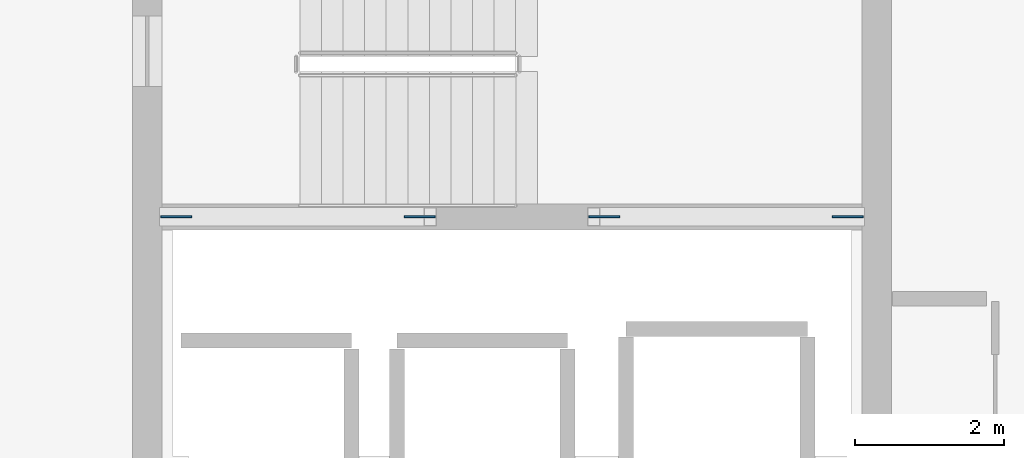
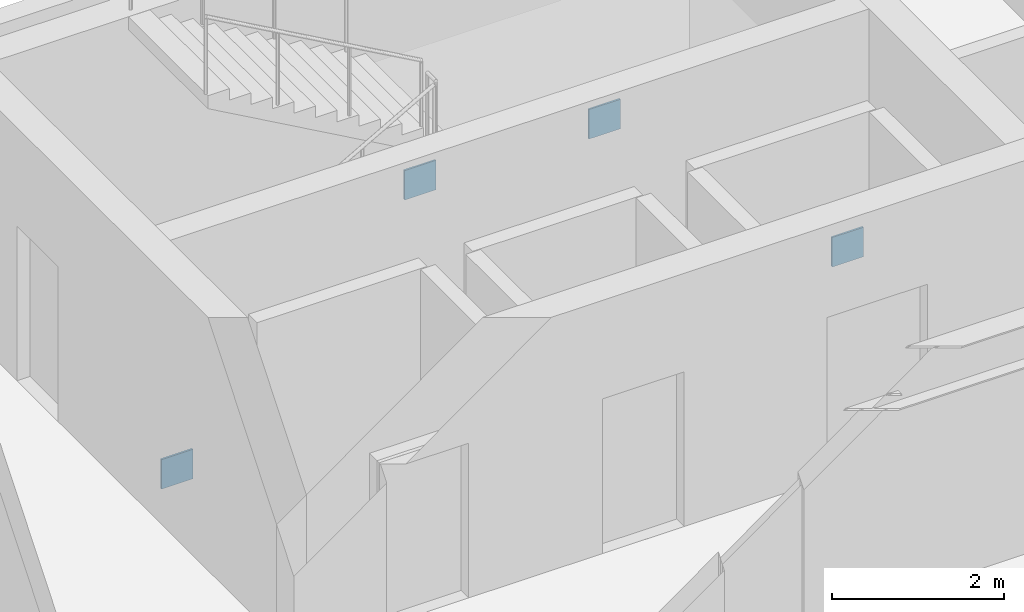
# One storey, part 12 of 34: 4 plates.
"""IFC4 building model written with IfcOpenShell, lengths in metres."""

from ifc_helpers import new_model, si_unit, direction, frame, origin, origin_2d, place, context, subcontext, project, spatial, rectangle, extrude, material, layer, layer_set, type_object, element, save


model = new_model("IFC4")

# Units and contexts
model_context = context("Model", 3, precision=1e-05, world=origin(), true_north=direction((0.0, 1.0)))
body_context = subcontext(model_context, "Body", "Model", "MODEL_VIEW")
ifc_project = project(units=[si_unit("LENGTHUNIT", "METRE"), si_unit("AREAUNIT", "SQUARE_METRE"), si_unit("VOLUMEUNIT", "CUBIC_METRE"), si_unit("PLANEANGLEUNIT", "RADIAN"), si_unit("MASSUNIT", "GRAM", prefix="KILO")], contexts=[model_context])

# Site, building, storey
site_placement = place(None, origin())
site = spatial("IfcSite", under=ifc_project, at=site_placement, CompositionType="ELEMENT")
building_placement = place(site_placement, origin())
building = spatial("IfcBuilding", under=site, at=building_placement, Name="Sollismere Congress Hotel", CompositionType="ELEMENT")
storey_placement = place(building_placement, frame((0.0, 0.0, 23.39990234375)))
storey = spatial("IfcBuildingStorey", under=building, at=storey_placement, Name="L05", CompositionType="ELEMENT", Elevation=23.39990234375)

# Plates
ifc_material = material(Name="Steel ASTM A572 Grade 50", Category="steel")
ifc_layer = layer(ifc_material, 0.02490234375, Name="Steel ASTM A572 Grade 50")
ifc_layer_set = layer_set([ifc_layer], Name="Steel ASTM A572 Grade 50")
plate_type = type_object("IfcPlateType", Name="PL-GS25", PredefinedType="USERDEFINED", material=ifc_layer_set)
for number, where, z_axis, x_axis, name in (
    (1, (94.18994140625, 14.35009765625, -0.02978515625), (0.0, 0.0, 1.0), (1.0, 0.0, 0.0), "PLT-GBF-BF-011-A"),
    (2, (97.4599609375, 14.35009765625, 2.93505859375), (0.0, 0.0, 1.0), (1.0, 0.0, 0.0), "PLT-GBF-BF-011-B"),
    (3, (103.2099609375, 14.35009765625, -0.02978515625), (0.0, 0.0, 1.0), (1.0, 0.0, 0.0), "PLT-GBF-BF-012-A"),
    (4, (99.93994140625, 14.35009765625, 2.93505859375), (0.0, 0.0, 1.0), (1.0, 0.0, 0.0), "PLT-GBF-BF-012-B"),
):
    element("IfcPlate", number, at=place(storey_placement, frame(where, z_axis=z_axis, x_axis=x_axis)), inside=storey, type_object=plate_type, Name=name, ObjectType="GUSSET PLATE", PredefinedType="USERDEFINED", context=body_context, shape_type="SweptSolid", body=[
        extrude(rectangle(XDim=0.419921875, YDim=0.02490234375, at=origin_2d()), origin(), (0.0, 0.0, 1.0), 0.419921875),
    ])

save(model, "model.ifc")
